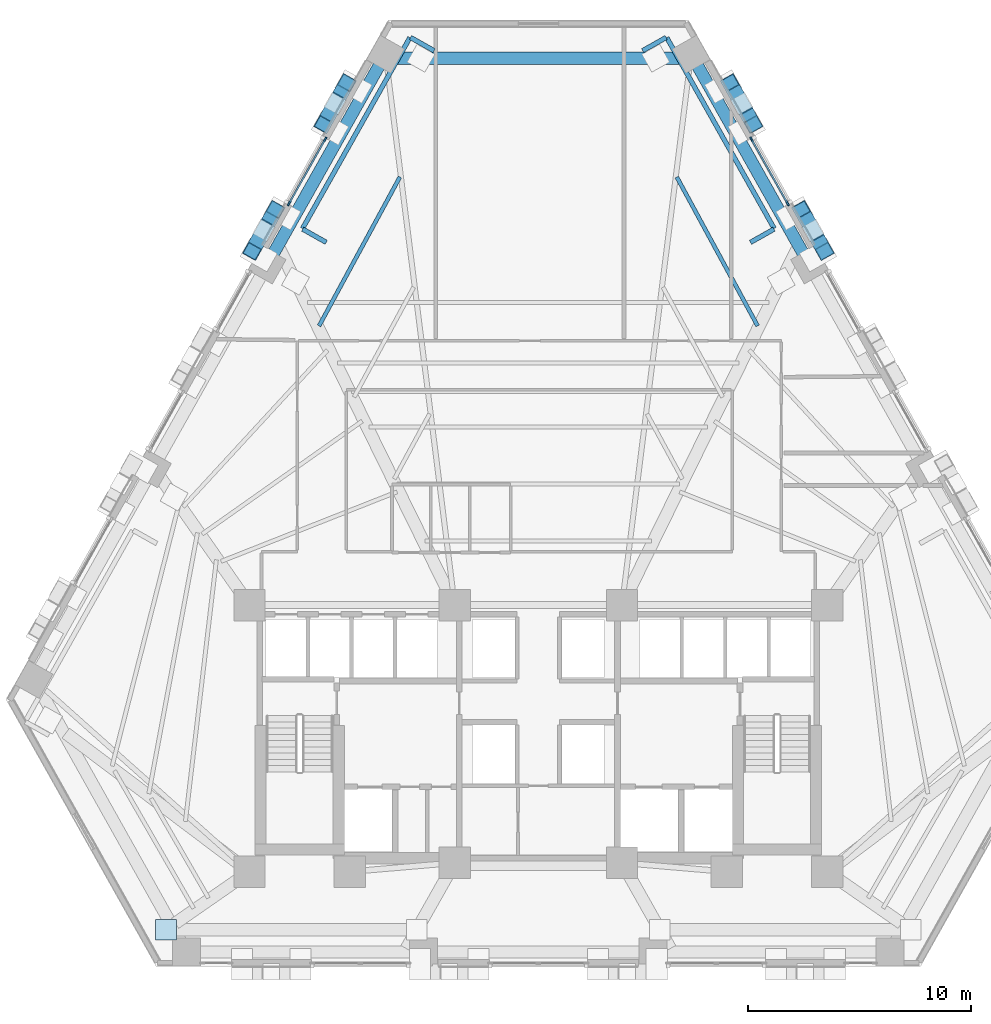
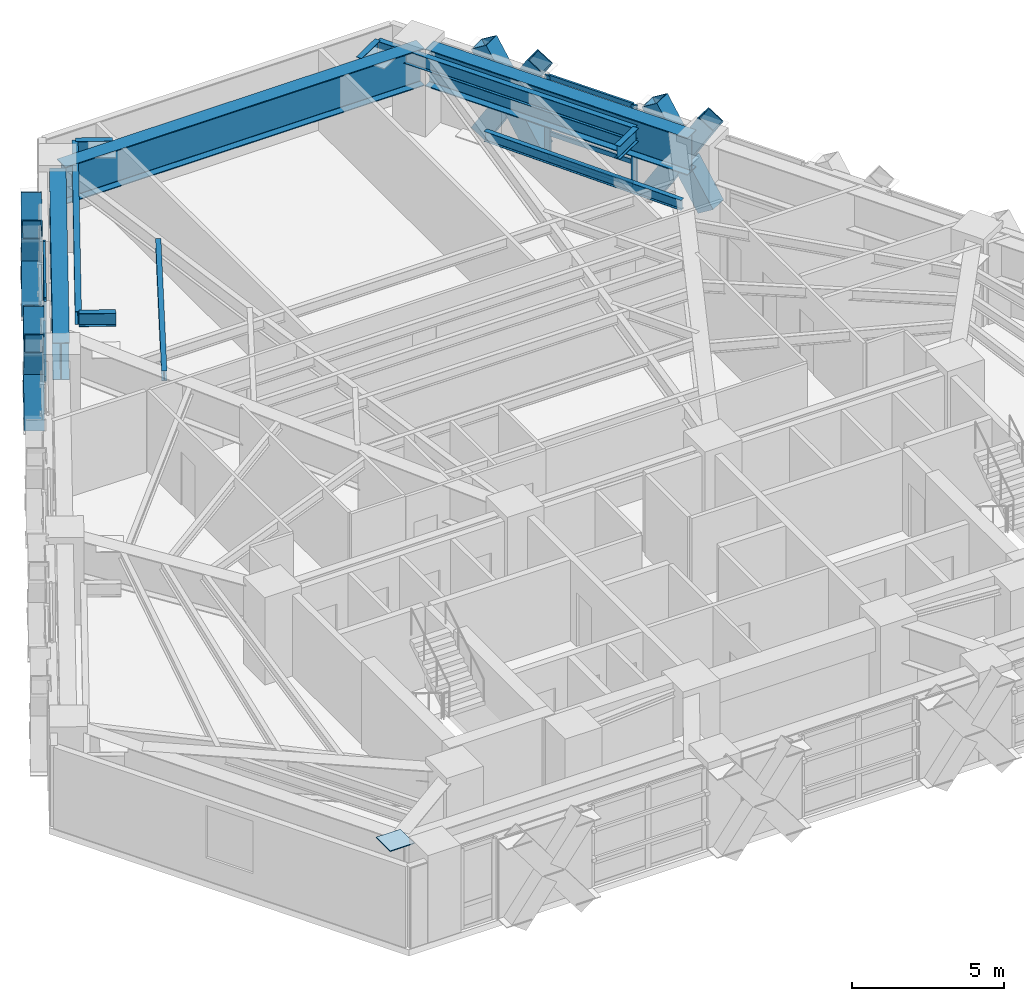
# One storey, part 5 of 14: 22 members, 11 beams, 1 plate, 2 elements without a shape of their own.
"""IFC4 building model written with IfcOpenShell, lengths in metres."""

import ifcopenshell
import ifcopenshell.guid

model = None  # the IFC model being written
_history = None  # IfcOwnerHistory: only IFC2X3 demands one
_inside = {}  # id of a spatial element -> (the spatial element, [elements in it])
_under = {}  # id of a project, library or spatial element -> (it, [spatial elements below it])
_declared = {}  # id of a project -> (the project, [libraries it declares])
_typed = {}  # id of a type object -> (the type object, [elements of that type])
_made_of = {}  # id of a material, layer set ... -> (it, [elements and type objects made of it])


def new_model(schema):
    """Start an empty IFC model of exactly this schema.

    Asked for "IFC4X3", IfcOpenShell would pick the latest addendum, in which some entities
    have other attributes; the version numbers below select the first issue.
    IFC2X3 requires an IfcOwnerHistory on every rooted entity: one is made here for all.
    """
    global model, _history
    if schema == "IFC4X3":
        model = ifcopenshell.file(schema_version=(4, 3, 0, 0))
    else:
        model = ifcopenshell.file(schema=schema)
    _inside.clear()
    _under.clear()
    _declared.clear()
    _typed.clear()
    _made_of.clear()
    _history = None
    if model.schema == "IFC2X3":
        org = make("IfcOrganization", Name="unknown")
        user = make(
            "IfcPersonAndOrganization",
            ThePerson=make("IfcPerson", FamilyName="unknown"),
            TheOrganization=org,
        )
        app = make(
            "IfcApplication",
            ApplicationDeveloper=org,
            Version="unknown",
            ApplicationFullName="unknown",
            ApplicationIdentifier="unknown",
        )
        _history = make(
            "IfcOwnerHistory",
            OwningUser=user,
            OwningApplication=app,
            ChangeAction="ADDED",
            CreationDate=0,
        )
    return model


def make(cls, **values):
    """One entity of the class cls with the attributes given. An attribute that is None is left unset."""
    return model.create_entity(
        cls, **{name: value for name, value in values.items() if value is not None}
    )


def rooted(cls, **values):
    """An entity with a GlobalId (a new one), such as an element, a storey or a relation."""
    return make(cls, GlobalId=ifcopenshell.guid.new(), OwnerHistory=_history, **values)


def si_unit(unit_type, name, prefix=None):
    """IfcSIUnit, for example si_unit("LENGTHUNIT", "METRE", prefix="MILLI")."""
    return make("IfcSIUnit", UnitType=unit_type, Prefix=prefix, Name=name)


def assignment(units):
    """IfcUnitAssignment: the units of a project."""
    return None if units is None else make("IfcUnitAssignment", Units=units)


def point(xyz):
    """IfcCartesianPoint."""
    return None if xyz is None else make("IfcCartesianPoint", Coordinates=xyz)


def direction(xyz):
    """IfcDirection."""
    return None if xyz is None else make("IfcDirection", DirectionRatios=xyz)


def frame(location, z_axis=None, x_axis=None):
    """IfcAxis2Placement3D, a coordinate frame: its origin and axes. An axis left out is left unset."""
    return make(
        "IfcAxis2Placement3D",
        Location=point(location),
        Axis=direction(z_axis),
        RefDirection=direction(x_axis),
    )


def frame_2d(location, x_axis=None):
    """IfcAxis2Placement2D, a coordinate frame in the plane: its origin and x axis."""
    return make(
        "IfcAxis2Placement2D", Location=point(location), RefDirection=direction(x_axis)
    )


def origin():
    """The frame at (0, 0, 0) with its axes left unset."""
    return frame((0.0, 0.0, 0.0))


def origin_2d():
    """The frame at (0, 0) in the plane with its x axis left unset."""
    return frame_2d((0.0, 0.0))


def place(relative_to, where):
    """IfcLocalPlacement: puts the frame where relative to a parent placement (None: the world)."""
    return make(
        "IfcLocalPlacement", PlacementRelTo=relative_to, RelativePlacement=where
    )


def context(
    kind, dimensions, precision=None, world=None, true_north=None, identifier=None
):
    """IfcGeometricRepresentationContext, for example the 3D "Model" context."""
    return make(
        "IfcGeometricRepresentationContext",
        ContextIdentifier=identifier,
        ContextType=kind,
        CoordinateSpaceDimension=dimensions,
        Precision=precision,
        WorldCoordinateSystem=world,
        TrueNorth=true_north,
    )


def subcontext(parent, identifier, kind, view, scale=None):
    """IfcGeometricRepresentationSubContext, for example "Body" below "Model"."""
    return make(
        "IfcGeometricRepresentationSubContext",
        ContextIdentifier=identifier,
        ContextType=kind,
        ParentContext=parent,
        TargetScale=scale,
        TargetView=view,
    )


def project(units=None, contexts=None):
    """IfcProject with its units and contexts."""
    return rooted(
        "IfcProject",
        Name="project",
        RepresentationContexts=contexts,
        UnitsInContext=assignment(units),
    )


def spatial(cls, under=None, at=None, **own):
    """A site, building, storey or space (cls), placed at a placement, below another one or the project."""
    s = rooted(cls, ObjectPlacement=at, **own)
    if under is not None:
        _under.setdefault(under.id(), (under, []))[1].append(s)
    return s


def profile(cls, at=None, kind="AREA", **sizes):
    """A parametric profile (cls). Its sizes go by their IFC names, for example OverallWidth=200.0."""
    return make(cls, ProfileType=kind, Position=at, **sizes)


def rectangle(**sizes):
    """IfcRectangleProfileDef."""
    return profile("IfcRectangleProfileDef", **sizes)


def hollow_rectangle(**sizes):
    """IfcRectangleHollowProfileDef."""
    return profile("IfcRectangleHollowProfileDef", **sizes)


def i_section(**sizes):
    """IfcIShapeProfileDef."""
    return profile("IfcIShapeProfileDef", **sizes)


def extrude(swept, where, along, depth):
    """IfcExtrudedAreaSolid: the profile swept, set in the frame where, extruded along a direction by depth."""
    return make(
        "IfcExtrudedAreaSolid",
        SweptArea=swept,
        Position=where,
        ExtrudedDirection=direction(along),
        Depth=depth,
    )


def shape(context_of_items, identifier, shape_type, items):
    """IfcShapeRepresentation: the items that make up one representation, for example the "Body"."""
    return make(
        "IfcShapeRepresentation",
        ContextOfItems=context_of_items,
        RepresentationIdentifier=identifier,
        RepresentationType=shape_type,
        Items=items,
    )


def material(Name=None, Category=None):
    """IfcMaterial."""
    return make("IfcMaterial", Name=Name, Category=Category)


def layer(
    of_material, thickness, ventilated=None, Name=None, Category=None, Priority=None
):
    """IfcMaterialLayer: one layer of a wall or slab, of a material (None: an air gap)."""
    return make(
        "IfcMaterialLayer",
        Material=of_material,
        LayerThickness=thickness,
        IsVentilated=ventilated,
        Name=Name,
        Category=Category,
        Priority=Priority,
    )


def layer_set(layers, Name=None):
    """IfcMaterialLayerSet."""
    return make("IfcMaterialLayerSet", MaterialLayers=layers, LayerSetName=Name)


def material_profile(
    of_material, cross_section, Name=None, Category=None, Priority=None
):
    """IfcMaterialProfile: a cross section and its material."""
    return make(
        "IfcMaterialProfile",
        Name=Name,
        Material=of_material,
        Profile=cross_section,
        Priority=Priority,
        Category=Category,
    )


def profile_set(profiles, Name=None, composite=None):
    """IfcMaterialProfileSet."""
    return make(
        "IfcMaterialProfileSet",
        Name=Name,
        MaterialProfiles=profiles,
        CompositeProfile=composite,
    )


def made_of(thing, what):
    """Note that an element or type object is made of a material, layer set ...; save() writes the relation."""
    if what is not None:
        _made_of.setdefault(what.id(), (what, []))[1].append(thing)
    return thing


def type_object(cls, material=None, **own):
    """A type object (cls), such as IfcWallType, which elements share."""
    return made_of(rooted(cls, **own), material)


def element(
    cls,
    number,
    at=None,
    inside=None,
    cuts=None,
    type_object=None,
    material=None,
    context=None,
    identifier="Body",
    shape_type=None,
    held_by="IfcProductDefinitionShape",
    body=None,
    shapes=None,
    **own,
):
    """One element of the class cls, such as IfcWall. Its Tag is "e" and its number.

    at: its placement. inside: the storey or other place that contains it. cuts: it is an
    opening in that element (IfcRelVoidsElement). A single representation is given by context,
    identifier, shape_type and body (its items); several are given by shapes. held_by: the class
    of the entity that holds the representations. save() writes the other relations.
    """
    e = rooted(cls, Tag="e%d" % number, ObjectPlacement=at, **own)
    if body is not None:
        shapes = [shape(context, identifier, shape_type, body)]
    if shapes is not None:
        e.Representation = make(held_by, Representations=shapes)
    if inside is not None:
        _inside.setdefault(inside.id(), (inside, []))[1].append(e)
    if cuts is not None:
        rooted(
            "IfcRelVoidsElement", RelatingBuildingElement=cuts, RelatedOpeningElement=e
        )
    if type_object is not None:
        _typed.setdefault(type_object.id(), (type_object, []))[1].append(e)
    return made_of(e, material)


def aggregate(whole, parts):
    """IfcRelAggregates: a whole, such as a stair, and the parts it consists of."""
    return rooted("IfcRelAggregates", RelatingObject=whole, RelatedObjects=parts)


def save(model, path):
    """Write the relations noted so far, then the file.

    IfcRelAggregates (storeys below a building ...), IfcRelContainedInSpatialStructure (elements
    in a storey), IfcRelDefinesByType, IfcRelAssociatesMaterial and IfcRelDeclares: one each for
    every whole, place, type object, material and project.
    """
    for whole, parts in _under.values():
        aggregate(whole, parts)
    for where, things in _inside.values():
        rooted(
            "IfcRelContainedInSpatialStructure",
            RelatedElements=things,
            RelatingStructure=where,
        )
    for kind, things in _typed.values():
        rooted("IfcRelDefinesByType", RelatedObjects=things, RelatingType=kind)
    for what, things in _made_of.values():
        rooted("IfcRelAssociatesMaterial", RelatedObjects=things, RelatingMaterial=what)
    for by, libraries in _declared.values():
        rooted("IfcRelDeclares", RelatingContext=by, RelatedDefinitions=libraries)
    model.write(path)


model = new_model("IFC4")

# Units and contexts
model_context = context("Model", 3, precision=1e-05, world=origin(), true_north=direction((0.0, 1.0)))
body_context = subcontext(model_context, "Body", "Model", "MODEL_VIEW")
ifc_project = project(units=[si_unit("LENGTHUNIT", "METRE"), si_unit("AREAUNIT", "SQUARE_METRE"), si_unit("VOLUMEUNIT", "CUBIC_METRE"), si_unit("PLANEANGLEUNIT", "RADIAN"), si_unit("MASSUNIT", "GRAM", prefix="KILO")], contexts=[model_context])

# Site, building, storey
site_placement = place(None, origin())
site = spatial("IfcSite", under=ifc_project, at=site_placement, CompositionType="ELEMENT")
building_placement = place(site_placement, origin())
building = spatial("IfcBuilding", under=site, at=building_placement, Name="Quenlor Broadcast Tower", CompositionType="ELEMENT")
storey_placement = place(building_placement, frame((0.0, 0.0, 73.10009765625)))
storey = spatial("IfcBuildingStorey", under=building, at=storey_placement, Name="L19", CompositionType="ELEMENT", Elevation=73.10009765625)

# Curtain wall, members
ifc_material_1 = material(Name="Architectural Terracotta and Low-E Glazing", Category="masonry")
curtain_wall_type = type_object("IfcCurtainWallType", Name="Unitised Terracotta Curtain Wall System Z1", PredefinedType="NOTDEFINED", material=ifc_material_1)
curtain_wall_1_placement = place(storey_placement, origin())
curtain_wall_1 = element("IfcCurtainWall", 1, at=curtain_wall_1_placement, inside=storey, type_object=curtain_wall_type, Name="L19 Curtain Wall CW1 (L19-NEA-G1)", PredefinedType="NOTDEFINED")
ifc_material_2 = material(Name="Aluminium 6063-T6", Category="aluminium")
ifc_material_profile_1 = material_profile(ifc_material_2, rectangle(XDim=0.080078125, YDim=0.219970703125, at=origin_2d()))
ifc_profile_set_1 = profile_set([ifc_material_profile_1], Name="Aluminium 6063-T6 MULL80x220")
member_type_1 = type_object("IfcMemberType", Name="CW1 Aluminium Mullion MULL_CW1", PredefinedType="MULLION", material=ifc_profile_set_1)
member_1_placement = place(storey_placement, frame((9.55615234375, 16.084716796875, 0.0), z_axis=(0.0, 0.0, 1.0), x_axis=(0.871585015751, 0.49024438836, 0.0)))
member_1 = element("IfcMember", 2, at=member_1_placement, type_object=member_type_1, Name="CW1 mullion 1", PredefinedType="MULLION", context=body_context, shape_type="SweptSolid", body=[
    extrude(rectangle(XDim=0.080078125, YDim=0.219970703125, at=origin_2d()), origin(), (0.0, 0.0, 1.0), 3.25),
])
member_2_placement = place(storey_placement, frame((11.174560546875, 13.207763671875, 0.0), z_axis=(0.0, 0.0, 1.0), x_axis=(0.871585015751, 0.49024438836, 0.0)))
member_2 = element("IfcMember", 3, at=member_2_placement, type_object=member_type_1, Name="CW1 mullion 2", PredefinedType="MULLION", context=body_context, shape_type="SweptSolid", body=[
    extrude(rectangle(XDim=0.080078125, YDim=0.219970703125, at=origin_2d()), origin(), (0.0, 0.0, 1.0), 3.25),
])

curtain_wall_2_placement = place(storey_placement, origin())
curtain_wall_2 = element("IfcCurtainWall", 4, at=curtain_wall_2_placement, inside=storey, type_object=curtain_wall_type, Name="L19 Curtain Wall CW1 (L19-NWC-G1)", PredefinedType="NOTDEFINED")
member_3_placement = place(storey_placement, frame((-11.174560546875, 13.207763671875, 0.0), z_axis=(0.0, 0.0, 1.0), x_axis=(-0.871585015751, 0.49024438836, 0.0)))
member_3 = element("IfcMember", 5, at=member_3_placement, type_object=member_type_1, Name="CW1 mullion 1", PredefinedType="MULLION", context=body_context, shape_type="SweptSolid", body=[
    extrude(rectangle(XDim=0.080078125, YDim=0.219970703125, at=origin_2d()), origin(), (0.0, 0.0, 1.0), 3.25),
])
member_4_placement = place(storey_placement, frame((-9.55615234375, 16.084716796875, 0.0), z_axis=(0.0, 0.0, 1.0), x_axis=(-0.871585015751, 0.49024438836, 0.0)))
member_4 = element("IfcMember", 6, at=member_4_placement, type_object=member_type_1, Name="CW1 mullion 2", PredefinedType="MULLION", context=body_context, shape_type="SweptSolid", body=[
    extrude(rectangle(XDim=0.080078125, YDim=0.219970703125, at=origin_2d()), origin(), (0.0, 0.0, 1.0), 3.25),
])

# Member
ifc_material_3 = material(Name="Aluminium 6063-T6", Category="aluminium")
ifc_material_profile_2 = material_profile(ifc_material_3, rectangle(XDim=0.080078125, YDim=0.179931640625, at=origin_2d()))
ifc_profile_set_2 = profile_set([ifc_material_profile_2], Name="Aluminium 6063-T6 TRAN80x180")
member_type_2 = type_object("IfcMemberType", Name="CW1 Aluminium Transom TRAN_CW1", PredefinedType="USERDEFINED", material=ifc_profile_set_2)
member_5_placement = place(storey_placement, frame((9.575927734375, 16.050048828125, 0.039794921875), z_axis=(0.490192861476, -0.871613996307, 0.0), x_axis=(0.871613996307, 0.490192861476, 0.0)))
member_5 = element("IfcMember", 7, at=member_5_placement, type_object=member_type_2, Name="CW1 transom 1.1", ObjectType="TRANSOM", PredefinedType="USERDEFINED", context=body_context, shape_type="SweptSolid", body=[
    extrude(rectangle(XDim=0.080078125, YDim=0.179931640625, at=origin_2d()), origin(), (0.0, 0.0, 1.0), 3.220947265625),
])

member_6_placement = place(storey_placement, frame((9.575927734375, 16.050048828125, 0.949951171875), z_axis=(0.490192861476, -0.871613996307, 0.0), x_axis=(0.871613996307, 0.490192861476, 0.0)))
member_6 = element("IfcMember", 8, at=member_6_placement, type_object=member_type_2, Name="CW1 transom 1.2", ObjectType="TRANSOM", PredefinedType="USERDEFINED", context=body_context, shape_type="SweptSolid", body=[
    extrude(rectangle(XDim=0.080078125, YDim=0.179931640625, at=origin_2d()), origin(), (0.0, 0.0, 1.0), 3.220947265625),
])

member_7_placement = place(storey_placement, frame((9.575927734375, 16.050048828125, 3.2099609375), z_axis=(0.490192861476, -0.871613996307, 0.0), x_axis=(0.871613996307, 0.490192861476, 0.0)))
member_7 = element("IfcMember", 9, at=member_7_placement, type_object=member_type_2, Name="CW1 transom 1.3", ObjectType="TRANSOM", PredefinedType="USERDEFINED", context=body_context, shape_type="SweptSolid", body=[
    extrude(rectangle(XDim=0.080078125, YDim=0.179931640625, at=origin_2d()), origin(), (0.0, 0.0, 1.0), 3.220947265625),
])

aggregate(curtain_wall_1, [member_1, member_2, member_5, member_6, member_7])

member_8_placement = place(storey_placement, frame((-11.15478515625, 13.24267578125, 0.039794921875), z_axis=(0.490192861476, 0.871613996307, 0.0), x_axis=(-0.871613996307, 0.490192861476, 0.0)))
member_8 = element("IfcMember", 10, at=member_8_placement, type_object=member_type_2, Name="CW1 transom 1.1", ObjectType="TRANSOM", PredefinedType="USERDEFINED", context=body_context, shape_type="SweptSolid", body=[
    extrude(rectangle(XDim=0.080078125, YDim=0.179931640625, at=origin_2d()), origin(), (0.0, 0.0, 1.0), 3.220947265625),
])

member_9_placement = place(storey_placement, frame((-11.15478515625, 13.24267578125, 0.949951171875), z_axis=(0.490192861476, 0.871613996307, 0.0), x_axis=(-0.871613996307, 0.490192861476, 0.0)))
member_9 = element("IfcMember", 11, at=member_9_placement, type_object=member_type_2, Name="CW1 transom 1.2", ObjectType="TRANSOM", PredefinedType="USERDEFINED", context=body_context, shape_type="SweptSolid", body=[
    extrude(rectangle(XDim=0.080078125, YDim=0.179931640625, at=origin_2d()), origin(), (0.0, 0.0, 1.0), 3.220947265625),
])

member_10_placement = place(storey_placement, frame((-11.15478515625, 13.24267578125, 3.2099609375), z_axis=(0.490192861476, 0.871613996307, 0.0), x_axis=(-0.871613996307, 0.490192861476, 0.0)))
member_10 = element("IfcMember", 12, at=member_10_placement, type_object=member_type_2, Name="CW1 transom 1.3", ObjectType="TRANSOM", PredefinedType="USERDEFINED", context=body_context, shape_type="SweptSolid", body=[
    extrude(rectangle(XDim=0.080078125, YDim=0.179931640625, at=origin_2d()), origin(), (0.0, 0.0, 1.0), 3.220947265625),
])

aggregate(curtain_wall_2, [member_3, member_4, member_8, member_9, member_10])

# Members
ifc_material_4 = material(Name="Steel S355", Category="steel")
ifc_material_profile_3 = material_profile(ifc_material_4, hollow_rectangle(XDim=0.679931640625, YDim=0.679931640625, WallThickness=0.034912109375, at=origin_2d()))
ifc_profile_set_3 = profile_set([ifc_material_profile_3], Name="Steel S355 RHS680x680x35")
member_type_3 = type_object("IfcMemberType", Name="Perimeter Diagonal Lattice Brace Z1 Steel S355 RHS680x35", PredefinedType="BRACE", material=ifc_profile_set_3)
member_11_placement = place(storey_placement, frame((8.584716796875, 18.617431640625, -0.1201171875), z_axis=(0.25642393936, -0.455831751234, 0.852328679495), x_axis=(0.871560357306, 0.490288224998, 0.0)))
element("IfcMember", 13, at=member_11_placement, inside=storey, type_object=member_type_3, Name="L19 Perimeter Diamond Lattice NE-C1XA", PredefinedType="BRACE", context=body_context, shape_type="SweptSolid", body=[
    extrude(hollow_rectangle(XDim=0.679931640625, YDim=0.679931640625, WallThickness=0.034912109375, at=origin_2d()), origin(), (0.0, 0.0, 1.0), 4.1064453125),
])
for number, where, z_axis, x_axis, name in (
    (14, (9.6376953125, 16.74560546875, -0.1201171875), (-0.256435894674, 0.455870991217, 0.852304095549), (-0.871568623966, -0.49027352949, 0.0), "L19 Perimeter Diamond Lattice NE-C1XB1"),
    (15, (9.047119140625, 17.79541015625, 1.843017578125), (-0.256435894674, 0.455870991217, 0.852304095549), (-0.871568623966, -0.49027352949, 0.0), "L19 Perimeter Diamond Lattice NE-C1XB2"),
):
    element("IfcMember", number, at=place(storey_placement, frame(where, z_axis=z_axis, x_axis=x_axis)), inside=storey, type_object=member_type_3, Name=name, PredefinedType="BRACE", context=body_context, shape_type="SweptSolid", body=[
        extrude(hollow_rectangle(XDim=0.679931640625, YDim=0.679931640625, WallThickness=0.034912109375, at=origin_2d()), origin(), (0.0, 0.0, 1.0), 1.80322265625),
    ])
member_12_placement = place(storey_placement, frame((11.781494140625, 12.93408203125, -0.1201171875), z_axis=(0.256430888508, -0.455784649039, 0.8523517778), x_axis=(0.871533027316, 0.490336804959, 0.0)))
element("IfcMember", 16, at=member_12_placement, inside=storey, type_object=member_type_3, Name="L19 Perimeter Diamond Lattice NE-C2XA", PredefinedType="BRACE", context=body_context, shape_type="SweptSolid", body=[
    extrude(hollow_rectangle(XDim=0.679931640625, YDim=0.679931640625, WallThickness=0.034912109375, at=origin_2d()), origin(), (0.0, 0.0, 1.0), 4.106201171875),
])
member_13_placement = place(storey_placement, frame((12.83447265625, 11.0625, -0.1201171875), z_axis=(-0.256435894674, 0.455870991217, 0.852304095549), x_axis=(-0.871568623966, -0.49027352949, 0.0)))
element("IfcMember", 17, at=member_13_placement, inside=storey, type_object=member_type_3, Name="L19 Perimeter Diamond Lattice NE-C2XB1", PredefinedType="BRACE", context=body_context, shape_type="SweptSolid", body=[
    extrude(hollow_rectangle(XDim=0.679931640625, YDim=0.679931640625, WallThickness=0.034912109375, at=origin_2d()), origin(), (0.0, 0.0, 1.0), 1.80322265625),
])
member_14_placement = place(storey_placement, frame((12.243896484375, 12.1123046875, 1.843017578125), z_axis=(-0.256451721554, 0.455763724789, 0.852356698618), x_axis=(-0.871506382136, -0.490384161547, 0.0)))
element("IfcMember", 18, at=member_14_placement, inside=storey, type_object=member_type_3, Name="L19 Perimeter Diamond Lattice NE-C2XB2", PredefinedType="BRACE", context=body_context, shape_type="SweptSolid", body=[
    extrude(hollow_rectangle(XDim=0.679931640625, YDim=0.679931640625, WallThickness=0.034912109375, at=origin_2d()), origin(), (0.0, 0.0, 1.0), 1.802978515625),
])
member_15_placement = place(storey_placement, frame((-12.83447265625, 11.0625, -0.1201171875), z_axis=(0.256430888508, 0.455784649039, 0.8523517778), x_axis=(-0.871533027316, 0.490336804959, 0.0)))
element("IfcMember", 19, at=member_15_placement, inside=storey, type_object=member_type_3, Name="L19 Perimeter Diamond Lattice NW-C4XA", PredefinedType="BRACE", context=body_context, shape_type="SweptSolid", body=[
    extrude(hollow_rectangle(XDim=0.679931640625, YDim=0.679931640625, WallThickness=0.034912109375, at=origin_2d()), origin(), (0.0, 0.0, 1.0), 4.106201171875),
])
member_16_placement = place(storey_placement, frame((-11.781494140625, 12.93408203125, -0.1201171875), z_axis=(-0.256451721554, -0.455763724789, 0.852356698618), x_axis=(0.871506382136, -0.490384161547, 0.0)))
element("IfcMember", 20, at=member_16_placement, inside=storey, type_object=member_type_3, Name="L19 Perimeter Diamond Lattice NW-C4XB1", PredefinedType="BRACE", context=body_context, shape_type="SweptSolid", body=[
    extrude(hollow_rectangle(XDim=0.679931640625, YDim=0.679931640625, WallThickness=0.034912109375, at=origin_2d()), origin(), (0.0, 0.0, 1.0), 1.802978515625),
])
member_17_placement = place(storey_placement, frame((-12.3720703125, 11.884521484375, 1.843017578125), z_axis=(-0.256435894674, -0.455870991217, 0.852304095549), x_axis=(0.871568623966, -0.49027352949, 0.0)))
element("IfcMember", 21, at=member_17_placement, inside=storey, type_object=member_type_3, Name="L19 Perimeter Diamond Lattice NW-C4XB2", PredefinedType="BRACE", context=body_context, shape_type="SweptSolid", body=[
    extrude(hollow_rectangle(XDim=0.679931640625, YDim=0.679931640625, WallThickness=0.034912109375, at=origin_2d()), origin(), (0.0, 0.0, 1.0), 1.80322265625),
])
member_18_placement = place(storey_placement, frame((-9.6376953125, 16.74560546875, -0.1201171875), z_axis=(0.25642393936, 0.455831751234, 0.852328679495), x_axis=(-0.871560357306, 0.490288224998, 0.0)))
element("IfcMember", 22, at=member_18_placement, inside=storey, type_object=member_type_3, Name="L19 Perimeter Diamond Lattice NW-C5XA", PredefinedType="BRACE", context=body_context, shape_type="SweptSolid", body=[
    extrude(hollow_rectangle(XDim=0.679931640625, YDim=0.679931640625, WallThickness=0.034912109375, at=origin_2d()), origin(), (0.0, 0.0, 1.0), 4.1064453125),
])
for number, where, z_axis, x_axis, name in (
    (23, (-8.584716796875, 18.617431640625, -0.1201171875), (-0.256435894674, -0.455870991217, 0.852304095549), (0.871568623966, -0.49027352949, 0.0), "L19 Perimeter Diamond Lattice NW-C5XB1"),
    (24, (-9.17529296875, 17.567626953125, 1.843017578125), (-0.256435894674, -0.455870991217, 0.852304095549), (0.871568623966, -0.49027352949, 0.0), "L19 Perimeter Diamond Lattice NW-C5XB2"),
):
    element("IfcMember", number, at=place(storey_placement, frame(where, z_axis=z_axis, x_axis=x_axis)), inside=storey, type_object=member_type_3, Name=name, PredefinedType="BRACE", context=body_context, shape_type="SweptSolid", body=[
        extrude(hollow_rectangle(XDim=0.679931640625, YDim=0.679931640625, WallThickness=0.034912109375, at=origin_2d()), origin(), (0.0, 0.0, 1.0), 1.80322265625),
    ])

# Beams
ifc_material_5 = material(Name="Steel S355", Category="steel")
ifc_material_profile_4 = material_profile(ifc_material_5, i_section(OverallWidth=0.208984375, OverallDepth=0.532958984375, WebThickness=0.01025390625, FlangeThickness=0.015625, FilletRadius=0.013916015625, at=origin_2d()))
ifc_profile_set_4 = profile_set([ifc_material_profile_4], Name="Steel S355 530UB92.4")
beam_type_1 = type_object("IfcBeamType", Name="Perimeter Spandrel Beam Z1 Steel S355 530UB92.4", PredefinedType="SPANDREL", material=ifc_profile_set_4)
beam_1_placement = place(storey_placement, frame((4.677001953125, 20.055908203125, 2.9833984375), z_axis=(0.871661741425, 0.490107956001, 0.0), x_axis=(-0.490107956001, 0.871661741425, 0.0)))
element("IfcBeam", 25, at=beam_1_placement, inside=storey, type_object=beam_type_1, Name="L19 Lattice Sill Radial Tie NEA1", PredefinedType="SPANDREL", context=body_context, shape_type="SweptSolid", body=[
    extrude(i_section(OverallWidth=0.208984375, OverallDepth=0.532958984375, WebThickness=0.01025390625, FlangeThickness=0.015625, FilletRadius=0.013916015625, at=origin_2d()), origin(), (0.0, 0.0, 1.0), 1.2099609375),
])
beam_2_placement = place(storey_placement, frame((9.510009765625, 11.46337890625, 2.9833984375), z_axis=(0.871575537125, 0.490261239633, 0.0), x_axis=(-0.490261239633, 0.871575537125, 0.0)))
element("IfcBeam", 26, at=beam_2_placement, inside=storey, type_object=beam_type_1, Name="L19 Lattice Sill Radial Tie NEA2", PredefinedType="SPANDREL", context=body_context, shape_type="SweptSolid", body=[
    extrude(i_section(OverallWidth=0.208984375, OverallDepth=0.532958984375, WebThickness=0.01025390625, FlangeThickness=0.015625, FilletRadius=0.013916015625, at=origin_2d()), origin(), (0.0, 0.0, 1.0), 1.210205078125),
])
beam_3_placement = place(storey_placement, frame((5.7587890625, 20.641357421875, 2.9833984375), z_axis=(0.490265961788, -0.871572880895, 0.0), x_axis=(0.871572880895, 0.490265961788, 0.0)))
element("IfcBeam", 27, at=beam_3_placement, inside=storey, type_object=beam_type_1, Name="L19 Lattice Sill Girder NEA", PredefinedType="SPANDREL", context=body_context, shape_type="SweptSolid", body=[
    extrude(i_section(OverallWidth=0.208984375, OverallDepth=0.532958984375, WebThickness=0.01025390625, FlangeThickness=0.015625, FilletRadius=0.013916015625, at=origin_2d()), origin(), (0.0, 0.0, 1.0), 9.818603515625),
])
beam_4_placement = place(storey_placement, frame((-9.510009765625, 11.46337890625, 2.9833984375), z_axis=(-0.871575537125, 0.490261239633, 0.0), x_axis=(-0.490261239633, -0.871575537125, 0.0)))
element("IfcBeam", 28, at=beam_4_placement, inside=storey, type_object=beam_type_1, Name="L19 Lattice Sill Radial Tie NWB1", PredefinedType="SPANDREL", context=body_context, shape_type="SweptSolid", body=[
    extrude(i_section(OverallWidth=0.208984375, OverallDepth=0.532958984375, WebThickness=0.01025390625, FlangeThickness=0.015625, FilletRadius=0.013916015625, at=origin_2d()), origin(), (0.0, 0.0, 1.0), 1.210205078125),
])
beam_5_placement = place(storey_placement, frame((-4.677001953125, 20.055908203125, 2.9833984375), z_axis=(-0.871661741425, 0.490107956001, 0.0), x_axis=(-0.490107956001, -0.871661741425, 0.0)))
element("IfcBeam", 29, at=beam_5_placement, inside=storey, type_object=beam_type_1, Name="L19 Lattice Sill Radial Tie NWB2", PredefinedType="SPANDREL", context=body_context, shape_type="SweptSolid", body=[
    extrude(i_section(OverallWidth=0.208984375, OverallDepth=0.532958984375, WebThickness=0.01025390625, FlangeThickness=0.015625, FilletRadius=0.013916015625, at=origin_2d()), origin(), (0.0, 0.0, 1.0), 1.2099609375),
])
beam_6_placement = place(storey_placement, frame((-10.572509765625, 12.083740234375, 2.9833984375), z_axis=(0.490265961788, 0.871572880895, 0.0), x_axis=(-0.871572880895, 0.490265961788, 0.0)))
element("IfcBeam", 30, at=beam_6_placement, inside=storey, type_object=beam_type_1, Name="L19 Lattice Sill Girder NWB", PredefinedType="SPANDREL", context=body_context, shape_type="SweptSolid", body=[
    extrude(i_section(OverallWidth=0.208984375, OverallDepth=0.532958984375, WebThickness=0.01025390625, FlangeThickness=0.015625, FilletRadius=0.013916015625, at=origin_2d()), origin(), (0.0, 0.0, 1.0), 9.818603515625),
])
ifc_material_6 = material(Name="Steel S355", Category="steel")
ifc_material_profile_5 = material_profile(ifc_material_6, i_section(OverallWidth=0.177978515625, OverallDepth=0.406494140625, WebThickness=0.0078125, FlangeThickness=0.0126953125, FilletRadius=0.011474609375, at=origin_2d()))
ifc_profile_set_5 = profile_set([ifc_material_profile_5], Name="Steel S355 410UB59.7")
beam_type_2 = type_object("IfcBeamType", Name="Tower Composite Joist Z1 Steel S355 410UB59.7", PredefinedType="JOIST", material=ifc_profile_set_5)
for number, where, z_axis, x_axis, name in (
    (31, (-6.206787109375, 14.3916015625, 3.046630859375), (-0.477218151225, -0.8787848634, 0.0), (0.8787848634, -0.477218151225, 0.0), "L19 Secondary Composite Joist 27"),
    (32, (6.206787109375, 14.3916015625, 3.046630859375), (0.477218151225, -0.8787848634, 0.0), (0.8787848634, 0.477218151225, 0.0), "L19 Secondary Composite Joist 30"),
):
    element("IfcBeam", number, at=place(storey_placement, frame(where, z_axis=z_axis, x_axis=x_axis)), inside=storey, type_object=beam_type_2, Name=name, PredefinedType="JOIST", context=body_context, shape_type="SweptSolid", body=[
        extrude(i_section(OverallWidth=0.177978515625, OverallDepth=0.406494140625, WebThickness=0.0078125, FlangeThickness=0.0126953125, FilletRadius=0.011474609375, at=origin_2d()), origin(), (0.0, 0.0, 1.0), 7.593505859375),
    ])
ifc_material_7 = material(Name="Steel S355", Category="steel")
ifc_material_profile_6 = material_profile(ifc_material_7, i_section(OverallWidth=0.550048828125, OverallDepth=1.5, WebThickness=0.02197265625, FlangeThickness=0.034912109375, FilletRadius=0.01806640625, at=origin_2d()))
ifc_profile_set_6 = profile_set([ifc_material_profile_6], Name="Steel S355 1500TG510")
beam_type_3 = type_object("IfcBeamType", Name="Zone Setback Transfer Girder Steel S355 1500", PredefinedType="BEAM", material=ifc_profile_set_6)
for number, where, z_axis, x_axis, name in (
    (33, (11.962158203125, 10.80810546875, 2.5), (-0.490257767622, 0.871577490121, 0.0), (-0.871577490121, -0.490257767622, 0.0), "L19 Spandrel Beam NE3-NE4"),
    (34, (-7.052001953125, 19.537353515625, 2.5), (-0.490257767622, -0.871577490121, 0.0), (0.871577490121, -0.490257767622, 0.0), "L19 Spandrel Beam NW1-NW2"),
):
    element("IfcBeam", number, at=place(storey_placement, frame(where, z_axis=z_axis, x_axis=x_axis)), inside=storey, type_object=beam_type_3, Name=name, PredefinedType="BEAM", context=body_context, shape_type="SweptSolid", body=[
        extrude(i_section(OverallWidth=0.550048828125, OverallDepth=1.5, WebThickness=0.02197265625, FlangeThickness=0.034912109375, FilletRadius=0.01806640625, at=origin_2d()), origin(), (0.0, 0.0, 1.0), 10.015380859375),
    ])
beam_7_placement = place(storey_placement, frame((-6.809814453125, 19.718994140625, 2.5), z_axis=(1.0, 0.0, 0.0), x_axis=(0.0, 1.0, 0.0)))
element("IfcBeam", 35, at=beam_7_placement, inside=storey, type_object=beam_type_3, Name="L19 Apex Setback Transfer Girder", PredefinedType="BEAM", context=body_context, shape_type="SweptSolid", body=[
    extrude(i_section(OverallWidth=0.550048828125, OverallDepth=1.5, WebThickness=0.02197265625, FlangeThickness=0.034912109375, FilletRadius=0.01806640625, at=origin_2d()), origin(), (0.0, 0.0, 1.0), 13.61962890625),
])

# Plate
ifc_material_8 = material(Name="Steel S355", Category="steel")
ifc_layer = layer(ifc_material_8, 0.031982421875)
ifc_layer_set = layer_set([ifc_layer], Name="Lower Zone Setback Steel S355 Kink Cap Plate 920x920x32")
plate_type = type_object("IfcPlateType", Name="Lower Zone Setback Steel S355 Kink Cap Plate 920x920x32", PredefinedType="USERDEFINED", material=ifc_layer_set)
plate_placement = place(storey_placement, frame((-16.6923828125, -19.35009765625, 3.2177734375), z_axis=(0.0, 0.0, 1.0), x_axis=(0.0, 1.0, 0.0)))
element("IfcPlate", 36, at=plate_placement, inside=storey, type_object=plate_type, Name="L19 Setback Kink Plate S1", ObjectType="CAP PLATE", PredefinedType="USERDEFINED", context=body_context, shape_type="SweptSolid", body=[
    extrude(rectangle(XDim=0.919921875, YDim=0.919921875, at=origin_2d()), origin(), (0.0, 0.0, 1.0), 0.031982421875),
])

save(model, "model.ifc")
